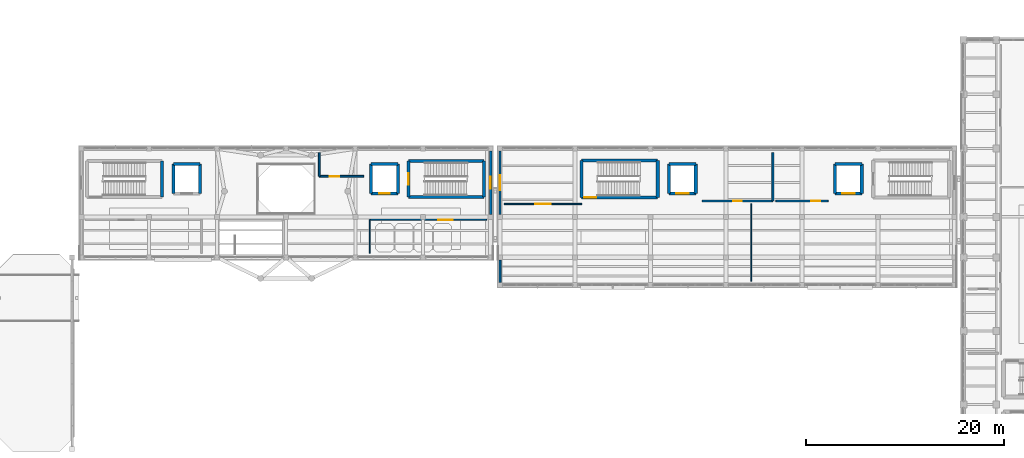
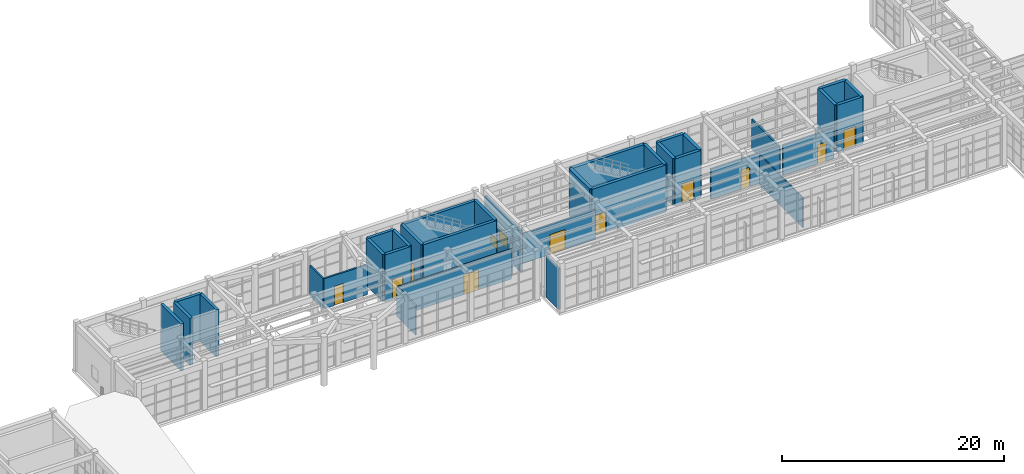
# One storey, part 91 of 103: 36 walls, 10 doors, 2 windows, 12 openings.
"""IFC4 building model written with IfcOpenShell, lengths in metres."""

from ifc_helpers import new_model, si_unit, direction, frame, frame_2d, origin, place, context, subcontext, project, spatial, rectangle, extrude, material, layer, layer_set, type_object, element, fill, save


model = new_model("IFC4")

# Units and contexts
model_context = context("Model", 3, precision=1e-05, world=origin(), true_north=direction((0.0, 1.0)))
body_context = subcontext(model_context, "Body", "Model", "MODEL_VIEW")
ifc_project = project(units=[si_unit("LENGTHUNIT", "METRE"), si_unit("AREAUNIT", "SQUARE_METRE"), si_unit("VOLUMEUNIT", "CUBIC_METRE"), si_unit("PLANEANGLEUNIT", "RADIAN"), si_unit("MASSUNIT", "GRAM", prefix="KILO")], contexts=[model_context])

# Site, building, storey
site_placement = place(None, origin())
site = spatial("IfcSite", under=ifc_project, at=site_placement, CompositionType="ELEMENT")
building_placement = place(site_placement, origin())
building = spatial("IfcBuilding", under=site, at=building_placement, Name="Candilejo Ridge Gondola Terminal", CompositionType="ELEMENT")
storey_placement = place(building_placement, frame((0.0, 0.0, 9.0)))
storey = spatial("IfcBuildingStorey", under=building, at=storey_placement, Name="L02", CompositionType="ELEMENT", Elevation=9.0)

# Wall
ifc_material_1 = material(Name="Concrete C20/25 masonry blockwork (f'm 14 MPa)", Category="masonry")
ifc_layer_1 = layer(ifc_material_1, 0.195068359375)
ifc_layer_set_1 = layer_set([ifc_layer_1], Name="ARC-EXT-WALL-195")
wall_type_1 = type_object("IfcWallType", Name="ARC-EXT-WALL-195", PredefinedType="STANDARD", material=ifc_layer_set_1)
wall_1_placement = place(storey_placement, frame((87.0, 23.14990234375, 0.0), z_axis=(0.0, 0.0, 1.0), x_axis=(0.0, 1.0, 0.0)))
element("IfcWall", 1, at=wall_1_placement, inside=storey, type_object=wall_type_1, Name="Exterior facade wall EW-V3-L02-081", PredefinedType="STANDARD", context=body_context, shape_type="SweptSolid", body=[
    extrude(rectangle(XDim=2.300048828125, YDim=0.195068359375, at=frame_2d((1.14990234375, 0.0))), origin(), (0.0, 0.0, 1.0), 4.47998046875),
])

# Wall, opening, window
ifc_material_2 = material(Name="Concrete C20/25 masonry blockwork (f'm 14 MPa)", Category="masonry")
ifc_layer_2 = layer(ifc_material_2, 0.219970703125)
ifc_layer_set_2 = layer_set([ifc_layer_2], Name="ARC-EXT-WALL-220")
wall_type_2 = type_object("IfcWallType", Name="ARC-EXT-WALL-220", PredefinedType="STANDARD", material=ifc_layer_set_2)
wall_2_placement = place(storey_placement, frame((87.0, 30.050048828125, 0.0), z_axis=(0.0, 0.0, 1.0), x_axis=(0.0, 1.0, 0.0)))
wall_2 = element("IfcWall", 2, at=wall_2_placement, inside=storey, type_object=wall_type_2, Name="Exterior facade wall EW-V3-L02-079", PredefinedType="STANDARD", context=body_context, shape_type="SweptSolid", body=[
    extrude(rectangle(XDim=6.39990234375, YDim=0.219970703125, at=frame_2d((3.199951171875, 0.0))), origin(), (0.0, 0.0, 1.0), 4.47998046875),
])
opening_1_placement = place(wall_2_placement, frame((2.449951171875, 0.0, 1.0)))
opening_1 = element("IfcOpeningElement", 3, at=opening_1_placement, cuts=wall_2, Name="Opening WN-03B", PredefinedType="OPENING", context=body_context, shape_type="SweptSolid", body=[
    extrude(rectangle(XDim=1.5, YDim=1.25, at=frame_2d((0.75, 0.625))), frame((0.0, 0.119873046875, 0.0), z_axis=(0.0, -1.0, 0.0), x_axis=(1.0, 0.0, 0.0)), (0.0, 0.0, 1.0), 0.239990234375),
])
ifc_material_3 = material(Name="Low-E laminated double glazing 6+12A+6+1.52PVB+6 mm", Category="glass")
window_type_1 = type_object("IfcWindowType", Name="ARC-WIN-1500X1250", PartitioningType="SINGLE_PANEL", PredefinedType="WINDOW", material=ifc_material_3)
window_1_placement = place(opening_1_placement, origin())
window_1 = element("IfcWindow", 4, at=window_1_placement, inside=storey, type_object=window_type_1, Name="Window WIN-037", OverallHeight=1.25, OverallWidth=1.5, PartitioningType="SINGLE_PANEL", PredefinedType="WINDOW", context=body_context, shape_type="SweptSolid", body=[
    extrude(rectangle(XDim=1.5, YDim=1.25, at=frame_2d((0.75, 0.625))), frame((0.0, 0.030029296875, 0.0), z_axis=(0.0, -1.0, 0.0), x_axis=(1.0, 0.0, 0.0)), (0.0, 0.0, 1.0), 0.06005859375),
])
fill(opening_1, window_1)

ifc_material_4 = material(Name="Concrete C20/25 masonry blockwork (f'm 14 MPa)", Category="masonry")
ifc_layer_3 = layer(ifc_material_4, 0.235107421875)
ifc_layer_set_3 = layer_set([ifc_layer_3], Name="ARC-EXT-WALL-235")
wall_type_3 = type_object("IfcWallType", Name="ARC-EXT-WALL-235", PredefinedType="STANDARD", material=ifc_layer_set_3)
wall_3_placement = place(storey_placement, frame((86.050048828125, 36.449951171875, 0.0), z_axis=(0.0, 0.0, 1.0), x_axis=(0.0, -1.0, 0.0)))
wall_3 = element("IfcWall", 5, at=wall_3_placement, inside=storey, type_object=wall_type_3, Name="Exterior facade wall EW-V2-L02-046", PredefinedType="STANDARD", context=body_context, shape_type="SweptSolid", body=[
    extrude(rectangle(XDim=6.39990234375, YDim=0.235107421875, at=frame_2d((3.199951171875, 0.0))), origin(), (0.0, 0.0, 1.0), 4.139892578125),
])
opening_2_placement = place(wall_3_placement, frame((2.60009765625, 0.0, 1.050048828125)))
opening_2 = element("IfcOpeningElement", 6, at=opening_2_placement, cuts=wall_3, Name="Opening WN-04B", PredefinedType="OPENING", context=body_context, shape_type="SweptSolid", body=[
    extrude(rectangle(XDim=1.199951171875, YDim=1.14990234375, at=frame_2d((0.60009765625, 0.574951171875))), frame((0.0, 0.12744140625, 0.0), z_axis=(0.0, -1.0, 0.0), x_axis=(1.0, 0.0, 0.0)), (0.0, 0.0, 1.0), 0.255126953125),
])
ifc_material_5 = material(Name="Low-E laminated double glazing 6+12A+6+1.52PVB+6 mm", Category="glass")
window_type_2 = type_object("IfcWindowType", Name="ARC-WIN-1200X1150", PartitioningType="SINGLE_PANEL", PredefinedType="WINDOW", material=ifc_material_5)
window_2_placement = place(opening_2_placement, origin())
window_2 = element("IfcWindow", 7, at=window_2_placement, inside=storey, type_object=window_type_2, Name="Window WIN-020", OverallHeight=1.14990234375, OverallWidth=1.199951171875, PartitioningType="SINGLE_PANEL", PredefinedType="WINDOW", context=body_context, shape_type="SweptSolid", body=[
    extrude(rectangle(XDim=1.199951171875, YDim=1.14990234375, at=frame_2d((0.60009765625, 0.574951171875))), frame((0.0, 0.030029296875, 0.0), z_axis=(0.0, -1.0, 0.0), x_axis=(1.0, 0.0, 0.0)), (0.0, 0.0, 1.0), 0.06005859375),
])
fill(opening_2, window_2)

# Wall, opening, door
ifc_material_6 = material(Name="Gypsum board Type X acoustic partition (2x15.9 mm)", Category="gypsum")
ifc_layer_4 = layer(ifc_material_6, 0.125)
ifc_layer_set_4 = layer_set([ifc_layer_4], Name="ARC-PART-GYP125")
wall_type_4 = type_object("IfcWallType", Name="ARC-PART-GYP125", PredefinedType="PARTITIONING", material=ifc_layer_set_4)
wall_4_placement = place(storey_placement, frame((87.39990234375, 31.10009765625, 0.0), z_axis=(0.0, 0.0, 1.0), x_axis=(1.0, 0.0, 0.0)))
wall_4 = element("IfcWall", 8, at=wall_4_placement, inside=storey, type_object=wall_type_4, Name="Interior partition PT-V3-L02-0081", PredefinedType="PARTITIONING", context=body_context, shape_type="SweptSolid", body=[
    extrude(rectangle(XDim=7.880126953125, YDim=0.125, at=frame_2d((3.93994140625, 0.0))), origin(), (0.0, 0.0, 1.0), 3.300048828125),
])
opening_3_placement = place(wall_4_placement, frame((3.139892578125, 0.0, 0.0)))
opening_3 = element("IfcOpeningElement", 9, at=opening_3_placement, cuts=wall_4, Name="Opening ID-03", PredefinedType="OPENING", context=body_context, shape_type="SweptSolid", body=[
    extrude(rectangle(XDim=1.60009765625, YDim=2.199951171875, at=frame_2d((0.800048828125, 1.10009765625))), frame((0.0, 0.072509765625, 0.0), z_axis=(0.0, -1.0, 0.0), x_axis=(1.0, 0.0, 0.0)), (0.0, 0.0, 1.0), 0.14501953125),
])
ifc_material_7 = material(Name="Solid-core fire-rated hardwood door leaf", Category="wood")
door_type_1 = type_object("IfcDoorType", Name="ARC-DOOR-DBL-1600", OperationType="NOTDEFINED", PredefinedType="DOOR", material=ifc_material_7)
door_1_placement = place(opening_3_placement, origin())
door_1 = element("IfcDoor", 10, at=door_1_placement, inside=storey, type_object=door_type_1, Name="Interior door IDR-0046 (209)", OperationType="DOUBLE_DOOR_SINGLE_SWING", OverallHeight=2.199951171875, OverallWidth=1.60009765625, PredefinedType="DOOR", context=body_context, shape_type="SweptSolid", body=[
    extrude(rectangle(XDim=1.60009765625, YDim=2.199951171875, at=frame_2d((0.800048828125, 1.10009765625))), frame((0.0, 0.02490234375, 0.0), z_axis=(0.0, -1.0, 0.0), x_axis=(1.0, 0.0, 0.0)), (0.0, 0.0, 1.0), 0.050048828125),
])
fill(opening_3, door_1)

# Wall
wall_5_placement = place(storey_placement, frame((112.39990234375, 23.300048828125, 0.0), z_axis=(0.0, 0.0, 1.0), x_axis=(0.0, 1.0, 0.0)))
element("IfcWall", 11, at=wall_5_placement, inside=storey, type_object=wall_type_4, Name="Interior partition PT-V3-L02-0082", PredefinedType="PARTITIONING", context=body_context, shape_type="SweptSolid", body=[
    extrude(rectangle(XDim=7.800048828125, YDim=0.125, at=frame_2d((3.89990234375, 0.0))), origin(), (0.0, 0.0, 1.0), 3.300048828125),
])

# Wall, opening, door
ifc_material_8 = material(Name="Acoustic operable panel system", Category="wood")
ifc_layer_5 = layer(ifc_material_8, 0.110107421875)
ifc_layer_set_5 = layer_set([ifc_layer_5], Name="ARC-PART-MOVABLE-110")
wall_type_5 = type_object("IfcWallType", Name="ARC-PART-MOVABLE-110", PredefinedType="MOVABLE", material=ifc_layer_set_5)
wall_6_placement = place(storey_placement, frame((73.800048828125, 29.5, 0.0), z_axis=(0.0, 0.0, 1.0), x_axis=(1.0, 0.0, 0.0)))
wall_6 = element("IfcWall", 12, at=wall_6_placement, inside=storey, type_object=wall_type_5, Name="Interior partition PT-V2-L02-0077", PredefinedType="MOVABLE", context=body_context, shape_type="SweptSolid", body=[
    extrude(rectangle(XDim=11.849853515625, YDim=0.110107421875, at=frame_2d((5.9248046875, 0.0))), origin(), (0.0, 0.0, 1.0), 3.300048828125),
])
opening_4_placement = place(wall_6_placement, frame((6.925048828125, 0.0, 0.0)))
opening_4 = element("IfcOpeningElement", 13, at=opening_4_placement, cuts=wall_6, Name="Opening ID-03B", PredefinedType="OPENING", context=body_context, shape_type="SweptSolid", body=[
    extrude(rectangle(XDim=1.5, YDim=2.199951171875, at=frame_2d((0.75, 1.10009765625))), frame((0.0, 0.06494140625, 0.0), z_axis=(0.0, -1.0, 0.0), x_axis=(1.0, 0.0, 0.0)), (0.0, 0.0, 1.0), 0.130126953125),
])
ifc_material_9 = material(Name="Solid-core fire-rated hardwood door leaf", Category="wood")
door_type_2 = type_object("IfcDoorType", Name="ARC-DOOR-DBL-1500", OperationType="NOTDEFINED", PredefinedType="DOOR", material=ifc_material_9)
door_2_placement = place(opening_4_placement, origin())
door_2 = element("IfcDoor", 14, at=door_2_placement, inside=storey, type_object=door_type_2, Name="Interior door IDR-0044 (207)", OperationType="DOUBLE_DOOR_SINGLE_SWING", OverallHeight=2.199951171875, OverallWidth=1.5, PredefinedType="DOOR", context=body_context, shape_type="SweptSolid", body=[
    extrude(rectangle(XDim=1.5, YDim=2.199951171875, at=frame_2d((0.75, 1.10009765625))), frame((0.0, 0.02490234375, 0.0), z_axis=(0.0, -1.0, 0.0), x_axis=(1.0, 0.0, 0.0)), (0.0, 0.0, 1.0), 0.050048828125),
])
fill(opening_4, door_2)

# Wall
wall_7_placement = place(storey_placement, frame((73.800048828125, 26.10009765625, 0.0), z_axis=(0.0, 0.0, 1.0), x_axis=(0.0, 1.0, 0.0)))
element("IfcWall", 15, at=wall_7_placement, inside=storey, type_object=wall_type_5, Name="Interior partition PT-V2-L02-0078", PredefinedType="MOVABLE", context=body_context, shape_type="SweptSolid", body=[
    extrude(rectangle(XDim=3.39990234375, YDim=0.110107421875, at=frame_2d((1.699951171875, 0.0))), origin(), (0.0, 0.0, 1.0), 3.300048828125),
])

# Wall, opening, door
ifc_material_10 = material(Name="Concrete C20/25 masonry blockwork (f'm 14 MPa)", Category="masonry")
ifc_layer_6 = layer(ifc_material_10, 0.179931640625)
ifc_layer_set_6 = layer_set([ifc_layer_6], Name="ARC-WALL-PLUMBING-180")
wall_type_6 = type_object("IfcWallType", Name="ARC-WALL-PLUMBING-180", PredefinedType="PLUMBINGWALL", material=ifc_layer_set_6)
wall_8_placement = place(storey_placement, frame((68.699951171875, 33.89990234375, 0.0), z_axis=(0.0, 0.0, 1.0), x_axis=(1.0, 0.0, 0.0)))
wall_8 = element("IfcWall", 16, at=wall_8_placement, inside=storey, type_object=wall_type_6, Name="Interior partition PT-V2-L02-0079", PredefinedType="PLUMBINGWALL", context=body_context, shape_type="SweptSolid", body=[
    extrude(rectangle(XDim=4.5, YDim=0.179931640625, at=frame_2d((2.25, 0.0))), origin(), (0.0, 0.0, 1.0), 3.300048828125),
])
opening_5_placement = place(wall_8_placement, frame((1.090087890625, 0.0, 0.0)))
opening_5 = element("IfcOpeningElement", 17, at=opening_5_placement, cuts=wall_8, Name="Opening ID-04A", PredefinedType="OPENING", context=body_context, shape_type="SweptSolid", body=[
    extrude(rectangle(XDim=0.919921875, YDim=2.10009765625, at=frame_2d((0.4599609375, 1.050048828125))), frame((0.0, 0.099853515625, 0.0), z_axis=(0.0, -1.0, 0.0), x_axis=(1.0, 0.0, 0.0)), (0.0, 0.0, 1.0), 0.199951171875),
])
ifc_material_11 = material(Name="Solid-core fire-rated hardwood door leaf", Category="wood")
door_type_3 = type_object("IfcDoorType", Name="ARC-DOOR-WC-0920", OperationType="NOTDEFINED", PredefinedType="DOOR", material=ifc_material_11)
door_3_placement = place(opening_5_placement, origin())
door_3 = element("IfcDoor", 18, at=door_3_placement, inside=storey, type_object=door_type_3, Name="Interior door IDR-0045 (208)", OperationType="SINGLE_SWING_LEFT", OverallHeight=2.10009765625, OverallWidth=0.919921875, PredefinedType="DOOR", context=body_context, shape_type="SweptSolid", body=[
    extrude(rectangle(XDim=0.919921875, YDim=2.10009765625, at=frame_2d((0.4599609375, 1.050048828125))), frame((0.0, 0.02490234375, 0.0), z_axis=(0.0, -1.0, 0.0), x_axis=(1.0, 0.0, 0.0)), (0.0, 0.0, 1.0), 0.050048828125),
])
fill(opening_5, door_3)

# Wall
wall_9_placement = place(storey_placement, frame((68.699951171875, 33.89990234375, 0.0), z_axis=(0.0, 0.0, 1.0), x_axis=(0.0, 1.0, 0.0)))
element("IfcWall", 19, at=wall_9_placement, inside=storey, type_object=wall_type_6, Name="Interior partition PT-V2-L02-0080", PredefinedType="PLUMBINGWALL", context=body_context, shape_type="SweptSolid", body=[
    extrude(rectangle(XDim=2.400146484375, YDim=0.179931640625, at=frame_2d((1.2001953125, 0.0))), origin(), (0.0, 0.0, 1.0), 3.300048828125),
])

# Wall, opening, door
wall_10_placement = place(storey_placement, frame((107.449951171875, 31.39990234375, 0.0), z_axis=(0.0, 0.0, 1.0), x_axis=(1.0, 0.0, 0.0)))
wall_10 = element("IfcWall", 20, at=wall_10_placement, inside=storey, type_object=wall_type_6, Name="Interior partition PT-V3-L02-0083", PredefinedType="PLUMBINGWALL", context=body_context, shape_type="SweptSolid", body=[
    extrude(rectangle(XDim=7.150146484375, YDim=0.179931640625, at=frame_2d((3.5751953125, 0.0))), origin(), (0.0, 0.0, 1.0), 3.300048828125),
])
opening_6_placement = place(wall_10_placement, frame((3.125, 0.0, 0.0)))
opening_6 = element("IfcOpeningElement", 21, at=opening_6_placement, cuts=wall_10, Name="Opening ID-04", PredefinedType="OPENING", context=body_context, shape_type="SweptSolid", body=[
    extrude(rectangle(XDim=0.89990234375, YDim=2.10009765625, at=frame_2d((0.449951171875, 1.050048828125))), frame((0.0, 0.099853515625, 0.0), z_axis=(0.0, -1.0, 0.0), x_axis=(1.0, 0.0, 0.0)), (0.0, 0.0, 1.0), 0.199951171875),
])
ifc_material_12 = material(Name="Solid-core fire-rated hardwood door leaf", Category="wood")
door_type_4 = type_object("IfcDoorType", Name="ARC-DOOR-WC-0900", OperationType="NOTDEFINED", PredefinedType="DOOR", material=ifc_material_12)
door_4_placement = place(opening_6_placement, origin())
door_4 = element("IfcDoor", 22, at=door_4_placement, inside=storey, type_object=door_type_4, Name="Interior door IDR-0047 (211)", OperationType="SINGLE_SWING_LEFT", OverallHeight=2.10009765625, OverallWidth=0.89990234375, PredefinedType="DOOR", context=body_context, shape_type="SweptSolid", body=[
    extrude(rectangle(XDim=0.89990234375, YDim=2.10009765625, at=frame_2d((0.449951171875, 1.050048828125))), frame((0.0, 0.02490234375, 0.0), z_axis=(0.0, -1.0, 0.0), x_axis=(1.0, 0.0, 0.0)), (0.0, 0.0, 1.0), 0.050048828125),
])
fill(opening_6, door_4)

# Wall
wall_11_placement = place(storey_placement, frame((114.60009765625, 31.39990234375, 0.0), z_axis=(0.0, 0.0, 1.0), x_axis=(0.0, 1.0, 0.0)))
element("IfcWall", 23, at=wall_11_placement, inside=storey, type_object=wall_type_6, Name="Interior partition PT-V3-L02-0084", PredefinedType="PLUMBINGWALL", context=body_context, shape_type="SweptSolid", body=[
    extrude(rectangle(XDim=4.900146484375, YDim=0.179931640625, at=frame_2d((2.4501953125, 0.0))), origin(), (0.0, 0.0, 1.0), 3.300048828125),
])

# Wall, opening, door
wall_12_placement = place(storey_placement, frame((114.89990234375, 31.39990234375, 0.0), z_axis=(0.0, 0.0, 1.0), x_axis=(1.0, 0.0, 0.0)))
wall_12 = element("IfcWall", 24, at=wall_12_placement, inside=storey, type_object=wall_type_6, Name="Interior partition PT-V3-L02-0085", PredefinedType="PLUMBINGWALL", context=body_context, shape_type="SweptSolid", body=[
    extrude(rectangle(XDim=5.300048828125, YDim=0.179931640625, at=frame_2d((2.64990234375, 0.0))), origin(), (0.0, 0.0, 1.0), 3.300048828125),
])
opening_7_placement = place(wall_12_placement, frame((3.590087890625, 0.0, 0.0)))
opening_7 = element("IfcOpeningElement", 25, at=opening_7_placement, cuts=wall_12, Name="Opening ID-04A", PredefinedType="OPENING", context=body_context, shape_type="SweptSolid", body=[
    extrude(rectangle(XDim=0.919921875, YDim=2.10009765625, at=frame_2d((0.4599609375, 1.050048828125))), frame((0.0, 0.099853515625, 0.0), z_axis=(0.0, -1.0, 0.0), x_axis=(1.0, 0.0, 0.0)), (0.0, 0.0, 1.0), 0.199951171875),
])
door_5_placement = place(opening_7_placement, origin())
door_5 = element("IfcDoor", 26, at=door_5_placement, inside=storey, type_object=door_type_3, Name="Interior door IDR-0048 (212)", OperationType="SINGLE_SWING_RIGHT", OverallHeight=2.10009765625, OverallWidth=0.919921875, PredefinedType="DOOR", context=body_context, shape_type="SweptSolid", body=[
    extrude(rectangle(XDim=0.919921875, YDim=2.10009765625, at=frame_2d((0.4599609375, 1.050048828125))), frame((0.0, 0.02490234375, 0.0), z_axis=(0.0, -1.0, 0.0), x_axis=(1.0, 0.0, 0.0)), (0.0, 0.0, 1.0), 0.050048828125),
])
fill(opening_7, door_5)

# Walls
ifc_material_13 = material(Name="Concrete f'c 35 MPa (C35/45)", Category="concrete")
ifc_layer_7 = layer(ifc_material_13, 0.300048828125)
ifc_layer_set_7 = layer_set([ifc_layer_7], Name="STR-CORE-WALL-300")
wall_type_7 = type_object("IfcWallType", Name="STR-CORE-WALL-300", PredefinedType="SHEAR", material=ifc_layer_set_7)
wall_13_placement = place(storey_placement, frame((52.800048828125, 31.800048828125, 0.0), z_axis=(0.0, 0.0, 1.0), x_axis=(0.0, 1.0, 0.0)))
element("IfcWall", 27, at=wall_13_placement, inside=storey, type_object=wall_type_7, Name="Core stair shear wall SW-C-V2A-L02-ST-E", PredefinedType="SHEAR", context=body_context, shape_type="SweptSolid", body=[
    extrude(rectangle(XDim=3.64990234375, YDim=0.300048828125, at=frame_2d((1.824951171875, 0.0))), origin(), (0.0, 0.0, 1.0), 5.175048828125),
])
wall_14_placement = place(storey_placement, frame((53.949951171875, 35.14990234375, 0.0), z_axis=(0.0, 0.0, 1.0), x_axis=(1.0, 0.0, 0.0)))
element("IfcWall", 28, at=wall_14_placement, inside=storey, type_object=wall_type_7, Name="Lift shaft shear wall SW-C-V2A-L02-LF-N", PredefinedType="SHEAR", context=body_context, shape_type="SweptSolid", body=[
    extrude(rectangle(XDim=2.699951171875, YDim=0.300048828125, at=frame_2d((1.35009765625, 0.0))), origin(), (0.0, 0.0, 1.0), 5.175048828125),
])
for number, where, z_axis, x_axis, name in (
    (29, (53.949951171875, 32.14990234375, 0.0), (0.0, 0.0, 1.0), (0.0, 1.0, 0.0), "Lift shaft shear wall SW-C-V2A-L02-LF-W"),
    (30, (56.64990234375, 32.14990234375, 0.0), (0.0, 0.0, 1.0), (0.0, 1.0, 0.0), "Lift shaft shear wall SW-C-V2A-L02-LF-E"),
):
    element("IfcWall", number, at=place(storey_placement, frame(where, z_axis=z_axis, x_axis=x_axis)), inside=storey, type_object=wall_type_7, Name=name, PredefinedType="SHEAR", context=body_context, shape_type="SweptSolid", body=[
        extrude(rectangle(XDim=3.0, YDim=0.300048828125, at=frame_2d((1.5, 0.0))), origin(), (0.0, 0.0, 1.0), 5.175048828125),
    ])
for number, where, z_axis, x_axis, name in (
    (31, (77.75, 31.800048828125, 0.0), (0.0, 0.0, 1.0), (1.0, 0.0, 0.0), "Core stair shear wall SW-C-V2B-L02-ST-S"),
    (32, (85.35009765625, 35.449951171875, 0.0), (0.0, 0.0, 1.0), (-1.0, 0.0, 0.0), "Core stair shear wall SW-C-V2B-L02-ST-N"),
):
    element("IfcWall", number, at=place(storey_placement, frame(where, z_axis=z_axis, x_axis=x_axis)), inside=storey, type_object=wall_type_7, Name=name, PredefinedType="SHEAR", context=body_context, shape_type="SweptSolid", body=[
        extrude(rectangle(XDim=7.60009765625, YDim=0.300048828125, at=frame_2d((3.800048828125, 0.0))), origin(), (0.0, 0.0, 1.0), 5.175048828125),
    ])

# Wall, opening, door
wall_15_placement = place(storey_placement, frame((77.75, 35.449951171875, 0.0), z_axis=(0.0, 0.0, 1.0), x_axis=(0.0, -1.0, 0.0)))
wall_15 = element("IfcWall", 33, at=wall_15_placement, inside=storey, type_object=wall_type_7, Name="Core stair shear wall SW-C-V2B-L02-ST-W", PredefinedType="SHEAR", context=body_context, shape_type="SweptSolid", body=[
    extrude(rectangle(XDim=3.64990234375, YDim=0.300048828125, at=frame_2d((1.824951171875, 0.0))), origin(), (0.0, 0.0, 1.0), 5.175048828125),
])
opening_8_placement = place(wall_15_placement, frame((1.22509765625, 0.0, 0.0)))
opening_8 = element("IfcOpeningElement", 34, at=opening_8_placement, cuts=wall_15, Name="Opening FD-01", PredefinedType="OPENING", context=body_context, shape_type="SweptSolid", body=[
    extrude(rectangle(XDim=1.199951171875, YDim=2.199951171875, at=frame_2d((0.60009765625, 1.10009765625))), frame((0.0, 0.159912109375, 0.0), z_axis=(0.0, -1.0, 0.0), x_axis=(1.0, 0.0, 0.0)), (0.0, 0.0, 1.0), 0.320068359375),
])
ifc_material_14 = material(Name="Steel ASTM A653 Grade 33 hollow-metal door", Category="steel")
door_type_5 = type_object("IfcDoorType", Name="ARC-DOOR-FD90-1200", OperationType="NOTDEFINED", PredefinedType="DOOR", material=ifc_material_14)
door_6_placement = place(opening_8_placement, origin())
door_6 = element("IfcDoor", 35, at=door_6_placement, inside=storey, type_object=door_type_5, Name="Fire stair door SDR-013", OperationType="SINGLE_SWING_LEFT", OverallHeight=2.199951171875, OverallWidth=1.199951171875, PredefinedType="DOOR", context=body_context, shape_type="SweptSolid", body=[
    extrude(rectangle(XDim=1.199951171875, YDim=2.199951171875, at=frame_2d((0.60009765625, 1.10009765625))), frame((0.0, 0.02490234375, 0.0), z_axis=(0.0, -1.0, 0.0), x_axis=(1.0, 0.0, 0.0)), (0.0, 0.0, 1.0), 0.050048828125),
])
fill(opening_8, door_6)

# Wall
wall_16_placement = place(storey_placement, frame((85.35009765625, 31.800048828125, 0.0), z_axis=(0.0, 0.0, 1.0), x_axis=(0.0, 1.0, 0.0)))
element("IfcWall", 36, at=wall_16_placement, inside=storey, type_object=wall_type_7, Name="Core stair shear wall SW-C-V2B-L02-ST-E", PredefinedType="SHEAR", context=body_context, shape_type="SweptSolid", body=[
    extrude(rectangle(XDim=3.64990234375, YDim=0.300048828125, at=frame_2d((1.824951171875, 0.0))), origin(), (0.0, 0.0, 1.0), 5.175048828125),
])

# Wall, opening, door
wall_17_placement = place(storey_placement, frame((73.949951171875, 32.14990234375, 0.0), z_axis=(0.0, 0.0, 1.0), x_axis=(1.0, 0.0, 0.0)))
wall_17 = element("IfcWall", 37, at=wall_17_placement, inside=storey, type_object=wall_type_7, Name="Lift shaft shear wall SW-C-V2B-L02-LF-S", PredefinedType="SHEAR", context=body_context, shape_type="SweptSolid", body=[
    extrude(rectangle(XDim=2.699951171875, YDim=0.300048828125, at=frame_2d((1.35009765625, 0.0))), origin(), (0.0, 0.0, 1.0), 5.175048828125),
])
opening_9_placement = place(wall_17_placement, frame((0.800048828125, 0.0, 0.0)))
opening_9 = element("IfcOpeningElement", 38, at=opening_9_placement, cuts=wall_17, Name="Opening LD-01", PredefinedType="OPENING", context=body_context, shape_type="SweptSolid", body=[
    extrude(rectangle(XDim=1.10009765625, YDim=2.199951171875, at=frame_2d((0.550048828125, 1.10009765625))), frame((0.0, 0.159912109375, 0.0), z_axis=(0.0, -1.0, 0.0), x_axis=(1.0, 0.0, 0.0)), (0.0, 0.0, 1.0), 0.320068359375),
])
ifc_material_15 = material(Name="Brushed stainless steel AISI 316", Category="steel")
door_type_6 = type_object("IfcDoorType", Name="ARC-LIFT-DOOR-1100", OperationType="NOTDEFINED", PredefinedType="DOOR", material=ifc_material_15)
door_7_placement = place(opening_9_placement, origin())
door_7 = element("IfcDoor", 39, at=door_7_placement, inside=storey, type_object=door_type_6, Name="Elevator landing door LDR-013", OperationType="SLIDING_TO_LEFT", OverallHeight=2.199951171875, OverallWidth=1.10009765625, PredefinedType="DOOR", context=body_context, shape_type="SweptSolid", body=[
    extrude(rectangle(XDim=1.10009765625, YDim=2.199951171875, at=frame_2d((0.550048828125, 1.10009765625))), frame((0.0, 0.02490234375, 0.0), z_axis=(0.0, -1.0, 0.0), x_axis=(1.0, 0.0, 0.0)), (0.0, 0.0, 1.0), 0.050048828125),
])
fill(opening_9, door_7)

# Walls
wall_18_placement = place(storey_placement, frame((73.949951171875, 35.14990234375, 0.0), z_axis=(0.0, 0.0, 1.0), x_axis=(1.0, 0.0, 0.0)))
element("IfcWall", 40, at=wall_18_placement, inside=storey, type_object=wall_type_7, Name="Lift shaft shear wall SW-C-V2B-L02-LF-N", PredefinedType="SHEAR", context=body_context, shape_type="SweptSolid", body=[
    extrude(rectangle(XDim=2.699951171875, YDim=0.300048828125, at=frame_2d((1.35009765625, 0.0))), origin(), (0.0, 0.0, 1.0), 5.175048828125),
])
for number, where, z_axis, x_axis, name in (
    (41, (73.949951171875, 32.14990234375, 0.0), (0.0, 0.0, 1.0), (0.0, 1.0, 0.0), "Lift shaft shear wall SW-C-V2B-L02-LF-W"),
    (42, (76.64990234375, 32.14990234375, 0.0), (0.0, 0.0, 1.0), (0.0, 1.0, 0.0), "Lift shaft shear wall SW-C-V2B-L02-LF-E"),
):
    element("IfcWall", number, at=place(storey_placement, frame(where, z_axis=z_axis, x_axis=x_axis)), inside=storey, type_object=wall_type_7, Name=name, PredefinedType="SHEAR", context=body_context, shape_type="SweptSolid", body=[
        extrude(rectangle(XDim=3.0, YDim=0.300048828125, at=frame_2d((1.5, 0.0))), origin(), (0.0, 0.0, 1.0), 5.175048828125),
    ])

# Wall, opening, door
ifc_material_16 = material(Name="Concrete f'c 35 MPa (C35/45)", Category="concrete")
ifc_layer_8 = layer(ifc_material_16, 0.324951171875)
ifc_layer_set_8 = layer_set([ifc_layer_8], Name="STR-CORE-WALL-325")
wall_type_8 = type_object("IfcWallType", Name="STR-CORE-WALL-325", PredefinedType="SHEAR", material=ifc_layer_set_8)
wall_19_placement = place(storey_placement, frame((95.25, 31.75, 0.0), z_axis=(0.0, 0.0, 1.0), x_axis=(1.0, 0.0, 0.0)))
wall_19 = element("IfcWall", 43, at=wall_19_placement, inside=storey, type_object=wall_type_8, Name="Core stair shear wall SW-C-V3A-L02-ST-S", PredefinedType="SHEAR", context=body_context, shape_type="SweptSolid", body=[
    extrude(rectangle(XDim=7.699951171875, YDim=0.324951171875, at=frame_2d((3.85009765625, 0.0))), origin(), (0.0, 0.0, 1.0), 5.175048828125),
])
opening_10_placement = place(wall_19_placement, frame((0.280029296875, 0.0, 0.0)))
opening_10 = element("IfcOpeningElement", 44, at=opening_10_placement, cuts=wall_19, Name="Opening FD-01", PredefinedType="OPENING", context=body_context, shape_type="SweptSolid", body=[
    extrude(rectangle(XDim=1.199951171875, YDim=2.199951171875, at=frame_2d((0.60009765625, 1.10009765625))), frame((0.0, 0.17236328125, 0.0), z_axis=(0.0, -1.0, 0.0), x_axis=(1.0, 0.0, 0.0)), (0.0, 0.0, 1.0), 0.344970703125),
])
door_8_placement = place(opening_10_placement, origin())
door_8 = element("IfcDoor", 45, at=door_8_placement, inside=storey, type_object=door_type_5, Name="Fire stair door SDR-017", OperationType="SINGLE_SWING_LEFT", OverallHeight=2.199951171875, OverallWidth=1.199951171875, PredefinedType="DOOR", context=body_context, shape_type="SweptSolid", body=[
    extrude(rectangle(XDim=1.199951171875, YDim=2.199951171875, at=frame_2d((0.60009765625, 1.10009765625))), frame((0.0, 0.02490234375, 0.0), z_axis=(0.0, -1.0, 0.0), x_axis=(1.0, 0.0, 0.0)), (0.0, 0.0, 1.0), 0.050048828125),
])
fill(opening_10, door_8)

# Walls
wall_20_placement = place(storey_placement, frame((102.949951171875, 35.5, 0.0), z_axis=(0.0, 0.0, 1.0), x_axis=(-1.0, 0.0, 0.0)))
element("IfcWall", 46, at=wall_20_placement, inside=storey, type_object=wall_type_8, Name="Core stair shear wall SW-C-V3A-L02-ST-N", PredefinedType="SHEAR", context=body_context, shape_type="SweptSolid", body=[
    extrude(rectangle(XDim=7.699951171875, YDim=0.324951171875, at=frame_2d((3.85009765625, 0.0))), origin(), (0.0, 0.0, 1.0), 5.175048828125),
])
for number, where, z_axis, x_axis, name in (
    (47, (95.25, 35.5, 0.0), (0.0, 0.0, 1.0), (0.0, -1.0, 0.0), "Core stair shear wall SW-C-V3A-L02-ST-W"),
    (48, (102.949951171875, 31.75, 0.0), (0.0, 0.0, 1.0), (0.0, 1.0, 0.0), "Core stair shear wall SW-C-V3A-L02-ST-E"),
):
    element("IfcWall", number, at=place(storey_placement, frame(where, z_axis=z_axis, x_axis=x_axis)), inside=storey, type_object=wall_type_8, Name=name, PredefinedType="SHEAR", context=body_context, shape_type="SweptSolid", body=[
        extrude(rectangle(XDim=3.75, YDim=0.324951171875, at=frame_2d((1.875, 0.0))), origin(), (0.0, 0.0, 1.0), 5.175048828125),
    ])

# Wall, opening, door
wall_21_placement = place(storey_placement, frame((104.10009765625, 32.14990234375, 0.0), z_axis=(0.0, 0.0, 1.0), x_axis=(1.0, 0.0, 0.0)))
wall_21 = element("IfcWall", 49, at=wall_21_placement, inside=storey, type_object=wall_type_8, Name="Lift shaft shear wall SW-C-V3A-L02-LF-S", PredefinedType="SHEAR", context=body_context, shape_type="SweptSolid", body=[
    extrude(rectangle(XDim=2.699951171875, YDim=0.324951171875, at=frame_2d((1.35009765625, 0.0))), origin(), (0.0, 0.0, 1.0), 5.175048828125),
])
opening_11_placement = place(wall_21_placement, frame((0.72509765625, 0.0, 0.0)))
opening_11 = element("IfcOpeningElement", 50, at=opening_11_placement, cuts=wall_21, Name="Opening LD-01B", PredefinedType="OPENING", context=body_context, shape_type="SweptSolid", body=[
    extrude(rectangle(XDim=1.25, YDim=2.199951171875, at=frame_2d((0.625, 1.10009765625))), frame((0.0, 0.17236328125, 0.0), z_axis=(0.0, -1.0, 0.0), x_axis=(1.0, 0.0, 0.0)), (0.0, 0.0, 1.0), 0.344970703125),
])
ifc_material_17 = material(Name="Brushed stainless steel AISI 316", Category="steel")
door_type_7 = type_object("IfcDoorType", Name="ARC-LIFT-DOOR-1250", OperationType="NOTDEFINED", PredefinedType="DOOR", material=ifc_material_17)
door_9_placement = place(opening_11_placement, origin())
door_9 = element("IfcDoor", 51, at=door_9_placement, inside=storey, type_object=door_type_7, Name="Elevator landing door LDR-017", OperationType="SLIDING_TO_LEFT", OverallHeight=2.199951171875, OverallWidth=1.25, PredefinedType="DOOR", context=body_context, shape_type="SweptSolid", body=[
    extrude(rectangle(XDim=1.25, YDim=2.199951171875, at=frame_2d((0.625, 1.10009765625))), frame((0.0, 0.02490234375, 0.0), z_axis=(0.0, -1.0, 0.0), x_axis=(1.0, 0.0, 0.0)), (0.0, 0.0, 1.0), 0.050048828125),
])
fill(opening_11, door_9)

# Walls
wall_22_placement = place(storey_placement, frame((104.10009765625, 35.14990234375, 0.0), z_axis=(0.0, 0.0, 1.0), x_axis=(1.0, 0.0, 0.0)))
element("IfcWall", 52, at=wall_22_placement, inside=storey, type_object=wall_type_8, Name="Lift shaft shear wall SW-C-V3A-L02-LF-N", PredefinedType="SHEAR", context=body_context, shape_type="SweptSolid", body=[
    extrude(rectangle(XDim=2.699951171875, YDim=0.324951171875, at=frame_2d((1.35009765625, 0.0))), origin(), (0.0, 0.0, 1.0), 5.175048828125),
])
for number, where, z_axis, x_axis, name in (
    (53, (104.10009765625, 32.14990234375, 0.0), (0.0, 0.0, 1.0), (0.0, 1.0, 0.0), "Lift shaft shear wall SW-C-V3A-L02-LF-W"),
    (54, (106.800048828125, 32.14990234375, 0.0), (0.0, 0.0, 1.0), (0.0, 1.0, 0.0), "Lift shaft shear wall SW-C-V3A-L02-LF-E"),
):
    element("IfcWall", number, at=place(storey_placement, frame(where, z_axis=z_axis, x_axis=x_axis)), inside=storey, type_object=wall_type_8, Name=name, PredefinedType="SHEAR", context=body_context, shape_type="SweptSolid", body=[
        extrude(rectangle(XDim=3.0, YDim=0.324951171875, at=frame_2d((1.5, 0.0))), origin(), (0.0, 0.0, 1.0), 5.175048828125),
    ])

# Wall, opening, door
wall_23_placement = place(storey_placement, frame((120.89990234375, 32.14990234375, 0.0), z_axis=(0.0, 0.0, 1.0), x_axis=(1.0, 0.0, 0.0)))
wall_23 = element("IfcWall", 55, at=wall_23_placement, inside=storey, type_object=wall_type_8, Name="Lift shaft shear wall SW-C-V3B-L02-LF-S", PredefinedType="SHEAR", context=body_context, shape_type="SweptSolid", body=[
    extrude(rectangle(XDim=2.7001953125, YDim=0.324951171875, at=frame_2d((1.35009765625, 0.0))), origin(), (0.0, 0.0, 1.0), 5.175048828125),
])
opening_12_placement = place(wall_23_placement, frame((0.72509765625, 0.0, 0.0)))
opening_12 = element("IfcOpeningElement", 56, at=opening_12_placement, cuts=wall_23, Name="Opening LD-01B", PredefinedType="OPENING", context=body_context, shape_type="SweptSolid", body=[
    extrude(rectangle(XDim=1.25, YDim=2.199951171875, at=frame_2d((0.625, 1.10009765625))), frame((0.0, 0.17236328125, 0.0), z_axis=(0.0, -1.0, 0.0), x_axis=(1.0, 0.0, 0.0)), (0.0, 0.0, 1.0), 0.344970703125),
])
door_10_placement = place(opening_12_placement, origin())
door_10 = element("IfcDoor", 57, at=door_10_placement, inside=storey, type_object=door_type_7, Name="Elevator landing door LDR-022", OperationType="SLIDING_TO_LEFT", OverallHeight=2.199951171875, OverallWidth=1.25, PredefinedType="DOOR", context=body_context, shape_type="SweptSolid", body=[
    extrude(rectangle(XDim=1.25, YDim=2.199951171875, at=frame_2d((0.625, 1.10009765625))), frame((0.0, 0.02490234375, 0.0), z_axis=(0.0, -1.0, 0.0), x_axis=(1.0, 0.0, 0.0)), (0.0, 0.0, 1.0), 0.050048828125),
])
fill(opening_12, door_10)

# Walls
wall_24_placement = place(storey_placement, frame((120.89990234375, 35.14990234375, 0.0), z_axis=(0.0, 0.0, 1.0), x_axis=(1.0, 0.0, 0.0)))
element("IfcWall", 58, at=wall_24_placement, inside=storey, type_object=wall_type_8, Name="Lift shaft shear wall SW-C-V3B-L02-LF-N", PredefinedType="SHEAR", context=body_context, shape_type="SweptSolid", body=[
    extrude(rectangle(XDim=2.7001953125, YDim=0.324951171875, at=frame_2d((1.35009765625, 0.0))), origin(), (0.0, 0.0, 1.0), 5.175048828125),
])
for number, where, z_axis, x_axis, name in (
    (59, (120.89990234375, 32.14990234375, 0.0), (0.0, 0.0, 1.0), (0.0, 1.0, 0.0), "Lift shaft shear wall SW-C-V3B-L02-LF-W"),
    (60, (123.60009765625, 32.14990234375, 0.0), (0.0, 0.0, 1.0), (0.0, 1.0, 0.0), "Lift shaft shear wall SW-C-V3B-L02-LF-E"),
):
    element("IfcWall", number, at=place(storey_placement, frame(where, z_axis=z_axis, x_axis=x_axis)), inside=storey, type_object=wall_type_8, Name=name, PredefinedType="SHEAR", context=body_context, shape_type="SweptSolid", body=[
        extrude(rectangle(XDim=3.0, YDim=0.324951171875, at=frame_2d((1.5, 0.0))), origin(), (0.0, 0.0, 1.0), 5.175048828125),
    ])

save(model, "model.ifc")
